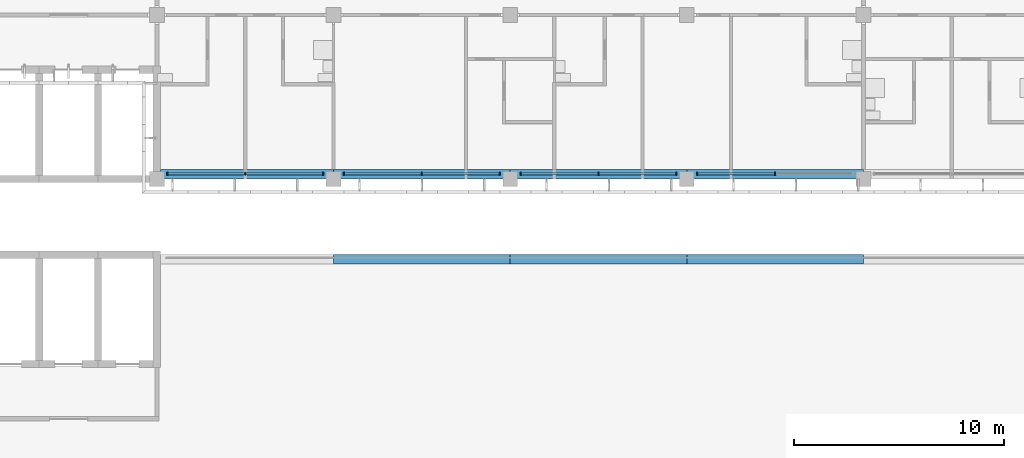
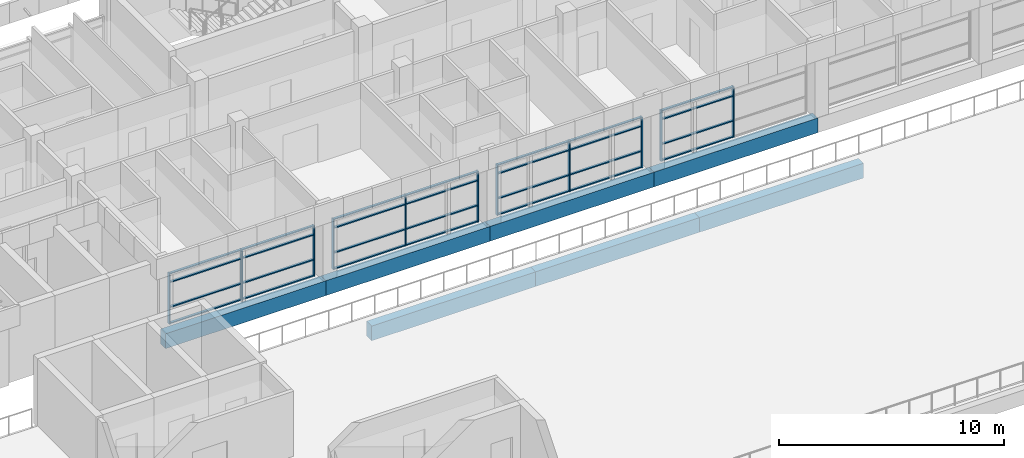
# One storey, part 4 of 46: 39 members, 7 beams, 4 elements without a shape of their own.
"""IFC4 building model written with IfcOpenShell, lengths in metres."""

from ifc_helpers import new_model, si_unit, direction, frame, origin, origin_2d, place, context, subcontext, project, spatial, rectangle, extrude, material, material_profile, profile_set, type_object, element, aggregate, save


model = new_model("IFC4")

# Units and contexts
model_context = context("Model", 3, precision=1e-05, world=origin(), true_north=direction((0.0, 1.0)))
body_context = subcontext(model_context, "Body", "Model", "MODEL_VIEW")
ifc_project = project(units=[si_unit("LENGTHUNIT", "METRE"), si_unit("AREAUNIT", "SQUARE_METRE"), si_unit("VOLUMEUNIT", "CUBIC_METRE"), si_unit("PLANEANGLEUNIT", "RADIAN"), si_unit("MASSUNIT", "GRAM", prefix="KILO")], contexts=[model_context])

# Site, building, storey
site_placement = place(None, origin())
site = spatial("IfcSite", under=ifc_project, at=site_placement, CompositionType="ELEMENT")
building_placement = place(site_placement, origin())
building = spatial("IfcBuilding", under=site, at=building_placement, Name="Bougainvillea Quay General Hospital", CompositionType="ELEMENT")
storey_placement = place(building_placement, frame((0.0, 0.0, 28.800048828125)))
storey = spatial("IfcBuildingStorey", under=building, at=storey_placement, Name="L06", CompositionType="ELEMENT", Elevation=28.800048828125)

# Curtain wall, members
ifc_material_1 = material(Name="Aluminium curtain wall system, powder-coated glazed", Category="aluminium")
curtain_wall_type = type_object("IfcCurtainWallType", Name="Unitised curtain wall CW-3730", PredefinedType="NOTDEFINED", material=ifc_material_1)
curtain_wall_1_placement = place(storey_placement, origin())
curtain_wall_1 = element("IfcCurtainWall", 1, at=curtain_wall_1_placement, inside=storey, type_object=curtain_wall_type, Name="CW-4200 00", PredefinedType="NOTDEFINED")
ifc_material_2 = material(Name="Aluminium mullion, powder-coated charcoal", Category="aluminium")
ifc_material_profile_1 = material_profile(ifc_material_2, rectangle(XDim=0.159912109375, YDim=0.06005859375, at=origin_2d()))
ifc_profile_set_1 = profile_set([ifc_material_profile_1], Name="Aluminium mullion, powder-coated charcoal")
member_type_1 = type_object("IfcMemberType", Name="Curtain wall mullion 160x60", PredefinedType="MULLION", material=ifc_profile_set_1)
member_1_placement = place(storey_placement, frame((76.10009765625, 140.64990234375, 0.0), z_axis=(0.0, 0.0, 1.0), x_axis=(0.0, 1.0, 0.0)))
member_1 = element("IfcMember", 2, at=member_1_placement, type_object=member_type_1, Name="CW-4200 mullion 1", PredefinedType="MULLION", context=body_context, shape_type="SweptSolid", body=[
    extrude(rectangle(XDim=0.159912109375, YDim=0.06005859375, at=origin_2d()), origin(), (0.0, 0.0, 1.0), 2.75),
])
member_2_placement = place(storey_placement, frame((79.800048828125, 140.64990234375, 0.0), z_axis=(0.0, 0.0, 1.0), x_axis=(0.0, 1.0, 0.0)))
member_2 = element("IfcMember", 3, at=member_2_placement, type_object=member_type_1, Name="CW-4200 mullion 2", PredefinedType="MULLION", context=body_context, shape_type="SweptSolid", body=[
    extrude(rectangle(XDim=0.159912109375, YDim=0.06005859375, at=origin_2d()), origin(), (0.0, 0.0, 1.0), 2.75),
])
member_3_placement = place(storey_placement, frame((83.5, 140.64990234375, 0.0), z_axis=(0.0, 0.0, 1.0), x_axis=(0.0, 1.0, 0.0)))
member_3 = element("IfcMember", 4, at=member_3_placement, type_object=member_type_1, Name="CW-4200 mullion 3", PredefinedType="MULLION", context=body_context, shape_type="SweptSolid", body=[
    extrude(rectangle(XDim=0.159912109375, YDim=0.06005859375, at=origin_2d()), origin(), (0.0, 0.0, 1.0), 2.75),
])

curtain_wall_2_placement = place(storey_placement, origin())
curtain_wall_2 = element("IfcCurtainWall", 5, at=curtain_wall_2_placement, inside=storey, type_object=curtain_wall_type, Name="CW-4200 01", PredefinedType="NOTDEFINED")
member_4_placement = place(storey_placement, frame((84.5, 140.64990234375, 0.0), z_axis=(0.0, 0.0, 1.0), x_axis=(0.0, 1.0, 0.0)))
member_4 = element("IfcMember", 6, at=member_4_placement, type_object=member_type_1, Name="CW-4200 mullion 1", PredefinedType="MULLION", context=body_context, shape_type="SweptSolid", body=[
    extrude(rectangle(XDim=0.159912109375, YDim=0.06005859375, at=origin_2d()), origin(), (0.0, 0.0, 1.0), 2.75),
])
member_5_placement = place(storey_placement, frame((88.199951171875, 140.64990234375, 0.0), z_axis=(0.0, 0.0, 1.0), x_axis=(0.0, 1.0, 0.0)))
member_5 = element("IfcMember", 7, at=member_5_placement, type_object=member_type_1, Name="CW-4200 mullion 2", PredefinedType="MULLION", context=body_context, shape_type="SweptSolid", body=[
    extrude(rectangle(XDim=0.159912109375, YDim=0.06005859375, at=origin_2d()), origin(), (0.0, 0.0, 1.0), 2.75),
])
member_6_placement = place(storey_placement, frame((91.89990234375, 140.64990234375, 0.0), z_axis=(0.0, 0.0, 1.0), x_axis=(0.0, 1.0, 0.0)))
member_6 = element("IfcMember", 8, at=member_6_placement, type_object=member_type_1, Name="CW-4200 mullion 3", PredefinedType="MULLION", context=body_context, shape_type="SweptSolid", body=[
    extrude(rectangle(XDim=0.159912109375, YDim=0.06005859375, at=origin_2d()), origin(), (0.0, 0.0, 1.0), 2.75),
])

curtain_wall_3_placement = place(storey_placement, origin())
curtain_wall_3 = element("IfcCurtainWall", 9, at=curtain_wall_3_placement, inside=storey, type_object=curtain_wall_type, Name="CW-4200 02", PredefinedType="NOTDEFINED")
member_7_placement = place(storey_placement, frame((92.89990234375, 140.64990234375, 0.0), z_axis=(0.0, 0.0, 1.0), x_axis=(0.0, 1.0, 0.0)))
member_7 = element("IfcMember", 10, at=member_7_placement, type_object=member_type_1, Name="CW-4200 mullion 1", PredefinedType="MULLION", context=body_context, shape_type="SweptSolid", body=[
    extrude(rectangle(XDim=0.159912109375, YDim=0.06005859375, at=origin_2d()), origin(), (0.0, 0.0, 1.0), 2.75),
])
member_8_placement = place(storey_placement, frame((96.60009765625, 140.64990234375, 0.0), z_axis=(0.0, 0.0, 1.0), x_axis=(0.0, 1.0, 0.0)))
member_8 = element("IfcMember", 11, at=member_8_placement, type_object=member_type_1, Name="CW-4200 mullion 2", PredefinedType="MULLION", context=body_context, shape_type="SweptSolid", body=[
    extrude(rectangle(XDim=0.159912109375, YDim=0.06005859375, at=origin_2d()), origin(), (0.0, 0.0, 1.0), 2.75),
])
member_9_placement = place(storey_placement, frame((100.300048828125, 140.64990234375, 0.0), z_axis=(0.0, 0.0, 1.0), x_axis=(0.0, 1.0, 0.0)))
member_9 = element("IfcMember", 12, at=member_9_placement, type_object=member_type_1, Name="CW-4200 mullion 3", PredefinedType="MULLION", context=body_context, shape_type="SweptSolid", body=[
    extrude(rectangle(XDim=0.159912109375, YDim=0.06005859375, at=origin_2d()), origin(), (0.0, 0.0, 1.0), 2.75),
])

curtain_wall_4_placement = place(storey_placement, origin())
curtain_wall_4 = element("IfcCurtainWall", 13, at=curtain_wall_4_placement, inside=storey, type_object=curtain_wall_type, Name="CW-4200 03", PredefinedType="NOTDEFINED")
member_10_placement = place(storey_placement, frame((101.300048828125, 140.64990234375, 0.0), z_axis=(0.0, 0.0, 1.0), x_axis=(0.0, 1.0, 0.0)))
member_10 = element("IfcMember", 14, at=member_10_placement, type_object=member_type_1, Name="CW-4200 mullion 1", PredefinedType="MULLION", context=body_context, shape_type="SweptSolid", body=[
    extrude(rectangle(XDim=0.159912109375, YDim=0.06005859375, at=origin_2d()), origin(), (0.0, 0.0, 1.0), 2.75),
])
member_11_placement = place(storey_placement, frame((105.0, 140.64990234375, 0.0), z_axis=(0.0, 0.0, 1.0), x_axis=(0.0, 1.0, 0.0)))
member_11 = element("IfcMember", 15, at=member_11_placement, type_object=member_type_1, Name="CW-4200 mullion 2", PredefinedType="MULLION", context=body_context, shape_type="SweptSolid", body=[
    extrude(rectangle(XDim=0.159912109375, YDim=0.06005859375, at=origin_2d()), origin(), (0.0, 0.0, 1.0), 2.75),
])

# Member
ifc_material_3 = material(Name="Aluminium transom, powder-coated charcoal", Category="aluminium")
ifc_material_profile_2 = material_profile(ifc_material_3, rectangle(XDim=0.1201171875, YDim=0.06005859375, at=origin_2d()))
ifc_profile_set_2 = profile_set([ifc_material_profile_2], Name="Aluminium transom, powder-coated charcoal")
member_type_2 = type_object("IfcMemberType", Name="Curtain wall transom 120x60", PredefinedType="USERDEFINED", material=ifc_profile_set_2)
member_12_placement = place(storey_placement, frame((76.1298828125, 140.64990234375, 0.030029296875), z_axis=(1.0, 0.0, 0.0), x_axis=(0.0, 1.0, 0.0)))
member_12 = element("IfcMember", 16, at=member_12_placement, type_object=member_type_2, Name="CW-4200 transom 1.1", ObjectType="TRANSOM", PredefinedType="USERDEFINED", context=body_context, shape_type="SweptSolid", body=[
    extrude(rectangle(XDim=0.1201171875, YDim=0.06005859375, at=origin_2d()), origin(), (0.0, 0.0, 1.0), 3.64013671875),
])

member_13_placement = place(storey_placement, frame((76.1298828125, 140.64990234375, 0.89990234375), z_axis=(1.0, 0.0, 0.0), x_axis=(0.0, 1.0, 0.0)))
member_13 = element("IfcMember", 17, at=member_13_placement, type_object=member_type_2, Name="CW-4200 transom 1.2", ObjectType="TRANSOM", PredefinedType="USERDEFINED", context=body_context, shape_type="SweptSolid", body=[
    extrude(rectangle(XDim=0.1201171875, YDim=0.06005859375, at=origin_2d()), origin(), (0.0, 0.0, 1.0), 3.64013671875),
])

member_14_placement = place(storey_placement, frame((76.1298828125, 140.64990234375, 2.25), z_axis=(1.0, 0.0, 0.0), x_axis=(0.0, 1.0, 0.0)))
member_14 = element("IfcMember", 18, at=member_14_placement, type_object=member_type_2, Name="CW-4200 transom 1.3", ObjectType="TRANSOM", PredefinedType="USERDEFINED", context=body_context, shape_type="SweptSolid", body=[
    extrude(rectangle(XDim=0.1201171875, YDim=0.06005859375, at=origin_2d()), origin(), (0.0, 0.0, 1.0), 3.64013671875),
])

member_15_placement = place(storey_placement, frame((76.1298828125, 140.64990234375, 2.719970703125), z_axis=(1.0, 0.0, 0.0), x_axis=(0.0, 1.0, 0.0)))
member_15 = element("IfcMember", 19, at=member_15_placement, type_object=member_type_2, Name="CW-4200 transom 1.4", ObjectType="TRANSOM", PredefinedType="USERDEFINED", context=body_context, shape_type="SweptSolid", body=[
    extrude(rectangle(XDim=0.1201171875, YDim=0.06005859375, at=origin_2d()), origin(), (0.0, 0.0, 1.0), 3.64013671875),
])

member_16_placement = place(storey_placement, frame((79.830078125, 140.64990234375, 0.030029296875), z_axis=(1.0, 0.0, 0.0), x_axis=(0.0, 1.0, 0.0)))
member_16 = element("IfcMember", 20, at=member_16_placement, type_object=member_type_2, Name="CW-4200 transom 2.1", ObjectType="TRANSOM", PredefinedType="USERDEFINED", context=body_context, shape_type="SweptSolid", body=[
    extrude(rectangle(XDim=0.1201171875, YDim=0.06005859375, at=origin_2d()), origin(), (0.0, 0.0, 1.0), 3.639892578125),
])

member_17_placement = place(storey_placement, frame((79.830078125, 140.64990234375, 0.89990234375), z_axis=(1.0, 0.0, 0.0), x_axis=(0.0, 1.0, 0.0)))
member_17 = element("IfcMember", 21, at=member_17_placement, type_object=member_type_2, Name="CW-4200 transom 2.2", ObjectType="TRANSOM", PredefinedType="USERDEFINED", context=body_context, shape_type="SweptSolid", body=[
    extrude(rectangle(XDim=0.1201171875, YDim=0.06005859375, at=origin_2d()), origin(), (0.0, 0.0, 1.0), 3.639892578125),
])

member_18_placement = place(storey_placement, frame((79.830078125, 140.64990234375, 2.25), z_axis=(1.0, 0.0, 0.0), x_axis=(0.0, 1.0, 0.0)))
member_18 = element("IfcMember", 22, at=member_18_placement, type_object=member_type_2, Name="CW-4200 transom 2.3", ObjectType="TRANSOM", PredefinedType="USERDEFINED", context=body_context, shape_type="SweptSolid", body=[
    extrude(rectangle(XDim=0.1201171875, YDim=0.06005859375, at=origin_2d()), origin(), (0.0, 0.0, 1.0), 3.639892578125),
])

member_19_placement = place(storey_placement, frame((79.830078125, 140.64990234375, 2.719970703125), z_axis=(1.0, 0.0, 0.0), x_axis=(0.0, 1.0, 0.0)))
member_19 = element("IfcMember", 23, at=member_19_placement, type_object=member_type_2, Name="CW-4200 transom 2.4", ObjectType="TRANSOM", PredefinedType="USERDEFINED", context=body_context, shape_type="SweptSolid", body=[
    extrude(rectangle(XDim=0.1201171875, YDim=0.06005859375, at=origin_2d()), origin(), (0.0, 0.0, 1.0), 3.639892578125),
])

aggregate(curtain_wall_1, [member_1, member_2, member_3, member_12, member_13, member_14, member_15, member_16, member_17, member_18, member_19])

member_20_placement = place(storey_placement, frame((84.530029296875, 140.64990234375, 0.030029296875), z_axis=(1.0, 0.0, 0.0), x_axis=(0.0, 1.0, 0.0)))
member_20 = element("IfcMember", 24, at=member_20_placement, type_object=member_type_2, Name="CW-4200 transom 1.1", ObjectType="TRANSOM", PredefinedType="USERDEFINED", context=body_context, shape_type="SweptSolid", body=[
    extrude(rectangle(XDim=0.1201171875, YDim=0.06005859375, at=origin_2d()), origin(), (0.0, 0.0, 1.0), 3.639892578125),
])

member_21_placement = place(storey_placement, frame((84.530029296875, 140.64990234375, 0.89990234375), z_axis=(1.0, 0.0, 0.0), x_axis=(0.0, 1.0, 0.0)))
member_21 = element("IfcMember", 25, at=member_21_placement, type_object=member_type_2, Name="CW-4200 transom 1.2", ObjectType="TRANSOM", PredefinedType="USERDEFINED", context=body_context, shape_type="SweptSolid", body=[
    extrude(rectangle(XDim=0.1201171875, YDim=0.06005859375, at=origin_2d()), origin(), (0.0, 0.0, 1.0), 3.639892578125),
])

member_22_placement = place(storey_placement, frame((84.530029296875, 140.64990234375, 2.25), z_axis=(1.0, 0.0, 0.0), x_axis=(0.0, 1.0, 0.0)))
member_22 = element("IfcMember", 26, at=member_22_placement, type_object=member_type_2, Name="CW-4200 transom 1.3", ObjectType="TRANSOM", PredefinedType="USERDEFINED", context=body_context, shape_type="SweptSolid", body=[
    extrude(rectangle(XDim=0.1201171875, YDim=0.06005859375, at=origin_2d()), origin(), (0.0, 0.0, 1.0), 3.639892578125),
])

member_23_placement = place(storey_placement, frame((84.530029296875, 140.64990234375, 2.719970703125), z_axis=(1.0, 0.0, 0.0), x_axis=(0.0, 1.0, 0.0)))
member_23 = element("IfcMember", 27, at=member_23_placement, type_object=member_type_2, Name="CW-4200 transom 1.4", ObjectType="TRANSOM", PredefinedType="USERDEFINED", context=body_context, shape_type="SweptSolid", body=[
    extrude(rectangle(XDim=0.1201171875, YDim=0.06005859375, at=origin_2d()), origin(), (0.0, 0.0, 1.0), 3.639892578125),
])

member_24_placement = place(storey_placement, frame((88.22998046875, 140.64990234375, 0.030029296875), z_axis=(1.0, 0.0, 0.0), x_axis=(0.0, 1.0, 0.0)))
member_24 = element("IfcMember", 28, at=member_24_placement, type_object=member_type_2, Name="CW-4200 transom 2.1", ObjectType="TRANSOM", PredefinedType="USERDEFINED", context=body_context, shape_type="SweptSolid", body=[
    extrude(rectangle(XDim=0.1201171875, YDim=0.06005859375, at=origin_2d()), origin(), (0.0, 0.0, 1.0), 3.64013671875),
])

member_25_placement = place(storey_placement, frame((88.22998046875, 140.64990234375, 0.89990234375), z_axis=(1.0, 0.0, 0.0), x_axis=(0.0, 1.0, 0.0)))
member_25 = element("IfcMember", 29, at=member_25_placement, type_object=member_type_2, Name="CW-4200 transom 2.2", ObjectType="TRANSOM", PredefinedType="USERDEFINED", context=body_context, shape_type="SweptSolid", body=[
    extrude(rectangle(XDim=0.1201171875, YDim=0.06005859375, at=origin_2d()), origin(), (0.0, 0.0, 1.0), 3.64013671875),
])

member_26_placement = place(storey_placement, frame((88.22998046875, 140.64990234375, 2.25), z_axis=(1.0, 0.0, 0.0), x_axis=(0.0, 1.0, 0.0)))
member_26 = element("IfcMember", 30, at=member_26_placement, type_object=member_type_2, Name="CW-4200 transom 2.3", ObjectType="TRANSOM", PredefinedType="USERDEFINED", context=body_context, shape_type="SweptSolid", body=[
    extrude(rectangle(XDim=0.1201171875, YDim=0.06005859375, at=origin_2d()), origin(), (0.0, 0.0, 1.0), 3.64013671875),
])

member_27_placement = place(storey_placement, frame((88.22998046875, 140.64990234375, 2.719970703125), z_axis=(1.0, 0.0, 0.0), x_axis=(0.0, 1.0, 0.0)))
member_27 = element("IfcMember", 31, at=member_27_placement, type_object=member_type_2, Name="CW-4200 transom 2.4", ObjectType="TRANSOM", PredefinedType="USERDEFINED", context=body_context, shape_type="SweptSolid", body=[
    extrude(rectangle(XDim=0.1201171875, YDim=0.06005859375, at=origin_2d()), origin(), (0.0, 0.0, 1.0), 3.64013671875),
])

aggregate(curtain_wall_2, [member_4, member_5, member_6, member_20, member_21, member_22, member_23, member_24, member_25, member_26, member_27])

member_28_placement = place(storey_placement, frame((92.929931640625, 140.64990234375, 0.030029296875), z_axis=(1.0, 0.0, 0.0), x_axis=(0.0, 1.0, 0.0)))
member_28 = element("IfcMember", 32, at=member_28_placement, type_object=member_type_2, Name="CW-4200 transom 1.1", ObjectType="TRANSOM", PredefinedType="USERDEFINED", context=body_context, shape_type="SweptSolid", body=[
    extrude(rectangle(XDim=0.1201171875, YDim=0.06005859375, at=origin_2d()), origin(), (0.0, 0.0, 1.0), 3.64013671875),
])

member_29_placement = place(storey_placement, frame((92.929931640625, 140.64990234375, 0.89990234375), z_axis=(1.0, 0.0, 0.0), x_axis=(0.0, 1.0, 0.0)))
member_29 = element("IfcMember", 33, at=member_29_placement, type_object=member_type_2, Name="CW-4200 transom 1.2", ObjectType="TRANSOM", PredefinedType="USERDEFINED", context=body_context, shape_type="SweptSolid", body=[
    extrude(rectangle(XDim=0.1201171875, YDim=0.06005859375, at=origin_2d()), origin(), (0.0, 0.0, 1.0), 3.64013671875),
])

member_30_placement = place(storey_placement, frame((92.929931640625, 140.64990234375, 2.25), z_axis=(1.0, 0.0, 0.0), x_axis=(0.0, 1.0, 0.0)))
member_30 = element("IfcMember", 34, at=member_30_placement, type_object=member_type_2, Name="CW-4200 transom 1.3", ObjectType="TRANSOM", PredefinedType="USERDEFINED", context=body_context, shape_type="SweptSolid", body=[
    extrude(rectangle(XDim=0.1201171875, YDim=0.06005859375, at=origin_2d()), origin(), (0.0, 0.0, 1.0), 3.64013671875),
])

member_31_placement = place(storey_placement, frame((92.929931640625, 140.64990234375, 2.719970703125), z_axis=(1.0, 0.0, 0.0), x_axis=(0.0, 1.0, 0.0)))
member_31 = element("IfcMember", 35, at=member_31_placement, type_object=member_type_2, Name="CW-4200 transom 1.4", ObjectType="TRANSOM", PredefinedType="USERDEFINED", context=body_context, shape_type="SweptSolid", body=[
    extrude(rectangle(XDim=0.1201171875, YDim=0.06005859375, at=origin_2d()), origin(), (0.0, 0.0, 1.0), 3.64013671875),
])

member_32_placement = place(storey_placement, frame((96.6298828125, 140.64990234375, 0.030029296875), z_axis=(1.0, 0.0, 0.0), x_axis=(0.0, 1.0, 0.0)))
member_32 = element("IfcMember", 36, at=member_32_placement, type_object=member_type_2, Name="CW-4200 transom 2.1", ObjectType="TRANSOM", PredefinedType="USERDEFINED", context=body_context, shape_type="SweptSolid", body=[
    extrude(rectangle(XDim=0.1201171875, YDim=0.06005859375, at=origin_2d()), origin(), (0.0, 0.0, 1.0), 3.64013671875),
])

member_33_placement = place(storey_placement, frame((96.6298828125, 140.64990234375, 0.89990234375), z_axis=(1.0, 0.0, 0.0), x_axis=(0.0, 1.0, 0.0)))
member_33 = element("IfcMember", 37, at=member_33_placement, type_object=member_type_2, Name="CW-4200 transom 2.2", ObjectType="TRANSOM", PredefinedType="USERDEFINED", context=body_context, shape_type="SweptSolid", body=[
    extrude(rectangle(XDim=0.1201171875, YDim=0.06005859375, at=origin_2d()), origin(), (0.0, 0.0, 1.0), 3.64013671875),
])

member_34_placement = place(storey_placement, frame((96.6298828125, 140.64990234375, 2.25), z_axis=(1.0, 0.0, 0.0), x_axis=(0.0, 1.0, 0.0)))
member_34 = element("IfcMember", 38, at=member_34_placement, type_object=member_type_2, Name="CW-4200 transom 2.3", ObjectType="TRANSOM", PredefinedType="USERDEFINED", context=body_context, shape_type="SweptSolid", body=[
    extrude(rectangle(XDim=0.1201171875, YDim=0.06005859375, at=origin_2d()), origin(), (0.0, 0.0, 1.0), 3.64013671875),
])

member_35_placement = place(storey_placement, frame((96.6298828125, 140.64990234375, 2.719970703125), z_axis=(1.0, 0.0, 0.0), x_axis=(0.0, 1.0, 0.0)))
member_35 = element("IfcMember", 39, at=member_35_placement, type_object=member_type_2, Name="CW-4200 transom 2.4", ObjectType="TRANSOM", PredefinedType="USERDEFINED", context=body_context, shape_type="SweptSolid", body=[
    extrude(rectangle(XDim=0.1201171875, YDim=0.06005859375, at=origin_2d()), origin(), (0.0, 0.0, 1.0), 3.64013671875),
])

aggregate(curtain_wall_3, [member_7, member_8, member_9, member_28, member_29, member_30, member_31, member_32, member_33, member_34, member_35])

member_36_placement = place(storey_placement, frame((101.330078125, 140.64990234375, 0.030029296875), z_axis=(1.0, 0.0, 0.0), x_axis=(0.0, 1.0, 0.0)))
member_36 = element("IfcMember", 40, at=member_36_placement, type_object=member_type_2, Name="CW-4200 transom 1.1", ObjectType="TRANSOM", PredefinedType="USERDEFINED", context=body_context, shape_type="SweptSolid", body=[
    extrude(rectangle(XDim=0.1201171875, YDim=0.06005859375, at=origin_2d()), origin(), (0.0, 0.0, 1.0), 3.639892578125),
])

member_37_placement = place(storey_placement, frame((101.330078125, 140.64990234375, 0.89990234375), z_axis=(1.0, 0.0, 0.0), x_axis=(0.0, 1.0, 0.0)))
member_37 = element("IfcMember", 41, at=member_37_placement, type_object=member_type_2, Name="CW-4200 transom 1.2", ObjectType="TRANSOM", PredefinedType="USERDEFINED", context=body_context, shape_type="SweptSolid", body=[
    extrude(rectangle(XDim=0.1201171875, YDim=0.06005859375, at=origin_2d()), origin(), (0.0, 0.0, 1.0), 3.639892578125),
])

member_38_placement = place(storey_placement, frame((101.330078125, 140.64990234375, 2.25), z_axis=(1.0, 0.0, 0.0), x_axis=(0.0, 1.0, 0.0)))
member_38 = element("IfcMember", 42, at=member_38_placement, type_object=member_type_2, Name="CW-4200 transom 1.3", ObjectType="TRANSOM", PredefinedType="USERDEFINED", context=body_context, shape_type="SweptSolid", body=[
    extrude(rectangle(XDim=0.1201171875, YDim=0.06005859375, at=origin_2d()), origin(), (0.0, 0.0, 1.0), 3.639892578125),
])

member_39_placement = place(storey_placement, frame((101.330078125, 140.64990234375, 2.719970703125), z_axis=(1.0, 0.0, 0.0), x_axis=(0.0, 1.0, 0.0)))
member_39 = element("IfcMember", 43, at=member_39_placement, type_object=member_type_2, Name="CW-4200 transom 1.4", ObjectType="TRANSOM", PredefinedType="USERDEFINED", context=body_context, shape_type="SweptSolid", body=[
    extrude(rectangle(XDim=0.1201171875, YDim=0.06005859375, at=origin_2d()), origin(), (0.0, 0.0, 1.0), 3.639892578125),
])

aggregate(curtain_wall_4, [member_10, member_11, member_36, member_37, member_38, member_39])

# Beams
ifc_material_4 = material(Name="Concrete C40", Category="concrete")
ifc_material_profile_3 = material_profile(ifc_material_4, rectangle(XDim=0.449951171875, YDim=0.800048828125, at=origin_2d()))
ifc_profile_set_3 = profile_set([ifc_material_profile_3], Name="Concrete C40")
beam_type = type_object("IfcBeamType", Name="RC BEAM 450x800 C40", PredefinedType="BEAM", material=ifc_profile_set_3)
beam_1_placement = place(storey_placement, frame((75.77490234375, 140.625, -0.699951171875), z_axis=(1.0, 0.0, 0.0), x_axis=(0.0, 1.0, 0.0)))
element("IfcBeam", 44, at=beam_1_placement, inside=storey, type_object=beam_type, Name="Edge beam L06", PredefinedType="BEAM", context=body_context, shape_type="SweptSolid", body=[
    extrude(rectangle(XDim=0.449951171875, YDim=0.800048828125, at=origin_2d()), origin(), (0.0, 0.0, 1.0), 8.22509765625),
])
beam_2_placement = place(storey_placement, frame((84.0, 140.625, -0.699951171875), z_axis=(1.0, 0.0, 0.0), x_axis=(0.0, 1.0, 0.0)))
element("IfcBeam", 45, at=beam_2_placement, inside=storey, type_object=beam_type, Name="Edge beam L06", PredefinedType="BEAM", context=body_context, shape_type="SweptSolid", body=[
    extrude(rectangle(XDim=0.449951171875, YDim=0.800048828125, at=origin_2d()), origin(), (0.0, 0.0, 1.0), 8.39990234375),
])
beam_3_placement = place(storey_placement, frame((92.39990234375, 140.625, -0.699951171875), z_axis=(1.0, 0.0, 0.0), x_axis=(0.0, 1.0, 0.0)))
element("IfcBeam", 46, at=beam_3_placement, inside=storey, type_object=beam_type, Name="Edge beam L06", PredefinedType="BEAM", context=body_context, shape_type="SweptSolid", body=[
    extrude(rectangle(XDim=0.449951171875, YDim=0.800048828125, at=origin_2d()), origin(), (0.0, 0.0, 1.0), 8.400146484375),
])
for number, where, z_axis, x_axis, name in (
    (47, (100.800048828125, 140.625, -0.699951171875), (1.0, 0.0, 0.0), (0.0, 1.0, 0.0), "Edge beam L06"),
    (48, (109.199951171875, 136.574951171875, -0.699951171875), (-1.0, 0.0, 0.0), (0.0, -1.0, 0.0), "Edge beam L06"),
):
    element("IfcBeam", number, at=place(storey_placement, frame(where, z_axis=z_axis, x_axis=x_axis)), inside=storey, type_object=beam_type, Name=name, PredefinedType="BEAM", context=body_context, shape_type="SweptSolid", body=[
        extrude(rectangle(XDim=0.449951171875, YDim=0.800048828125, at=origin_2d()), origin(), (0.0, 0.0, 1.0), 8.39990234375),
    ])
beam_4_placement = place(storey_placement, frame((100.800048828125, 136.574951171875, -0.699951171875), z_axis=(-1.0, 0.0, 0.0), x_axis=(0.0, -1.0, 0.0)))
element("IfcBeam", 49, at=beam_4_placement, inside=storey, type_object=beam_type, Name="Edge beam L06", PredefinedType="BEAM", context=body_context, shape_type="SweptSolid", body=[
    extrude(rectangle(XDim=0.449951171875, YDim=0.800048828125, at=origin_2d()), origin(), (0.0, 0.0, 1.0), 8.400146484375),
])
beam_5_placement = place(storey_placement, frame((92.39990234375, 136.574951171875, -0.699951171875), z_axis=(-1.0, 0.0, 0.0), x_axis=(0.0, -1.0, 0.0)))
element("IfcBeam", 50, at=beam_5_placement, inside=storey, type_object=beam_type, Name="Edge beam L06", PredefinedType="BEAM", context=body_context, shape_type="SweptSolid", body=[
    extrude(rectangle(XDim=0.449951171875, YDim=0.800048828125, at=origin_2d()), origin(), (0.0, 0.0, 1.0), 8.39990234375),
])

save(model, "model.ifc")
